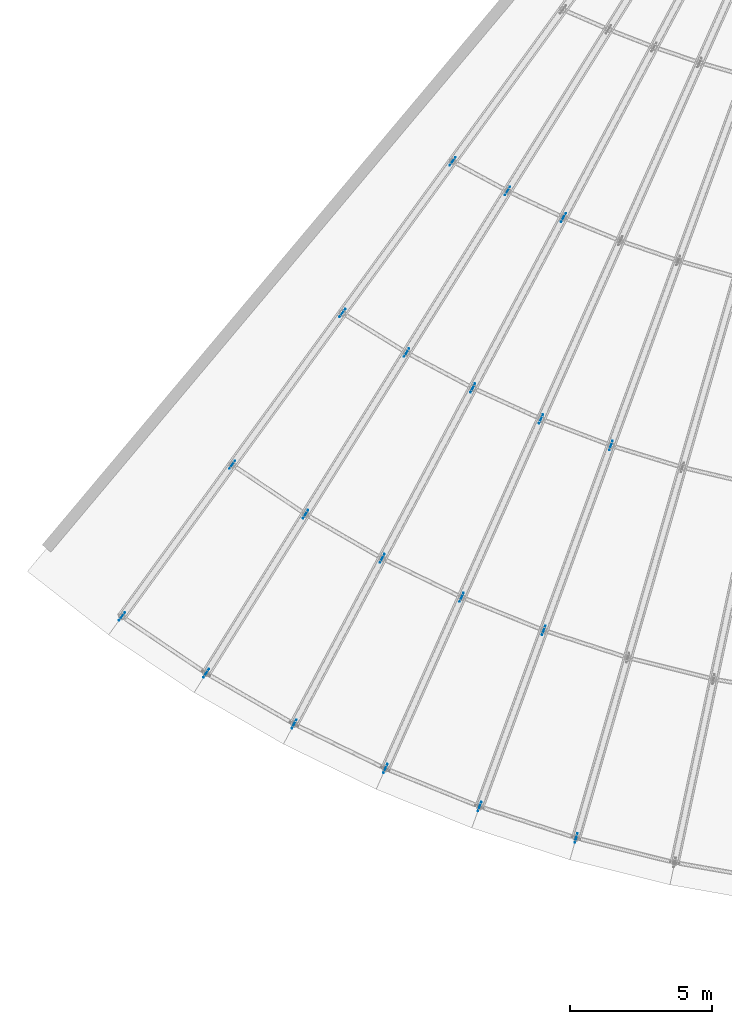
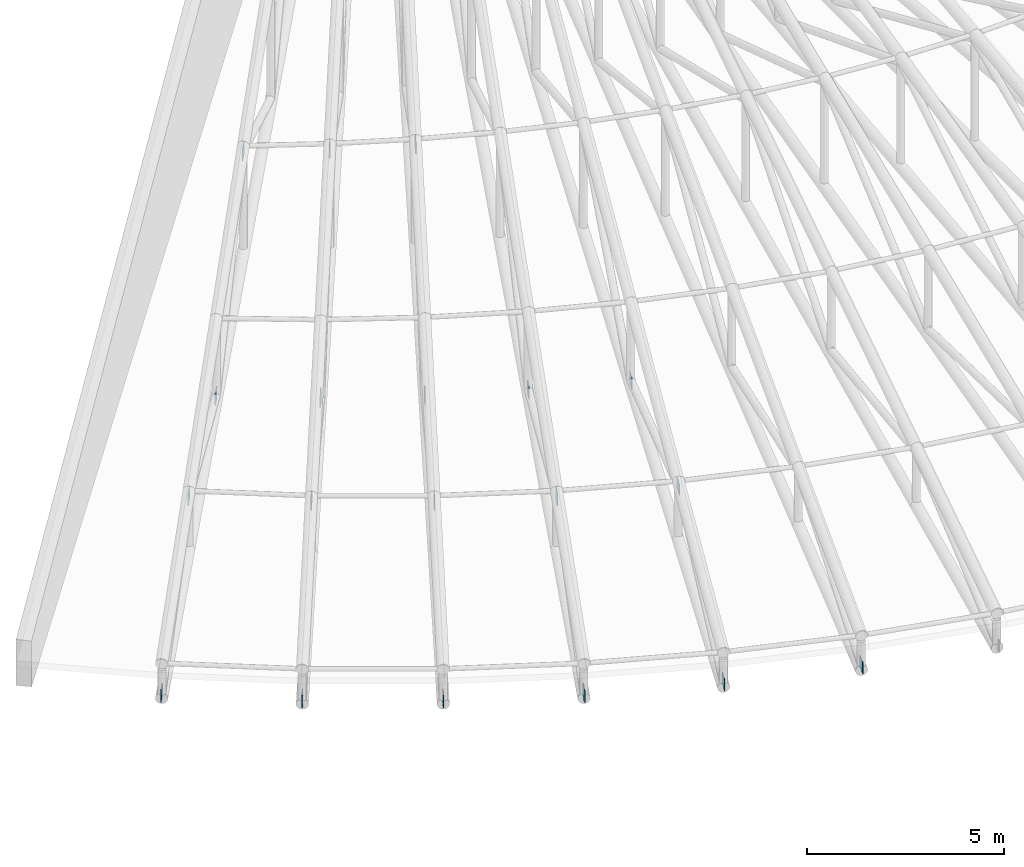
# One storey, part 128 of 163: 19 discrete accessories.
"""IFC4 building model written with IfcOpenShell, lengths in metres."""

from ifc_helpers import new_model, si_unit, direction, frame, origin, origin_2d, place, context, subcontext, project, spatial, rectangle, extrude, material, layer, layer_set, type_object, element, save


model = new_model("IFC4")

# Units and contexts
model_context = context("Model", 3, precision=1e-05, world=origin(), true_north=direction((0.0, 1.0)))
body_context = subcontext(model_context, "Body", "Model", "MODEL_VIEW")
ifc_project = project(units=[si_unit("LENGTHUNIT", "METRE"), si_unit("AREAUNIT", "SQUARE_METRE"), si_unit("VOLUMEUNIT", "CUBIC_METRE"), si_unit("PLANEANGLEUNIT", "RADIAN"), si_unit("MASSUNIT", "GRAM", prefix="KILO")], contexts=[model_context])

# Site, building, storey
site_placement = place(None, origin())
site = spatial("IfcSite", under=ifc_project, at=site_placement, CompositionType="ELEMENT")
building_placement = place(site_placement, origin())
building = spatial("IfcBuilding", under=site, at=building_placement, Name="Rain Tree Exposition and Congress Centre", CompositionType="ELEMENT")
storey_placement = place(building_placement, frame((0.0, 0.0, 10.5)))
storey = spatial("IfcBuildingStorey", under=building, at=storey_placement, Name="L02", CompositionType="ELEMENT", Elevation=10.5)

# Discrete accessories
ifc_material = material(Name="Steel plate S355J2", Category="steel")
ifc_layer = layer(ifc_material, 0.02001953125)
ifc_layer_set = layer_set([ifc_layer], Name="Steel plate S355J2")
discrete_accessory_type = type_object("IfcDiscreteAccessoryType", Name="Brace node plate 350x350x20", PredefinedType="BRACKET", material=ifc_layer_set)
for number, where, z_axis, x_axis, name in (
    (1, (171.50537109375, 25.7783203125, 0.1435546875), (0.0, 0.0, 1.0), (0.587785252292, 0.809016994375, 0.0), "Brace node plate 350"),
    (2, (175.384765625, 31.117919921875, 1.635498046875), (0.0, 0.0, 1.0), (0.587785252292, 0.809016994375, 0.0), "Brace node plate 350"),
    (3, (179.263427734375, 36.456298828125, 0.1435546875), (0.0, 0.0, 1.0), (-0.587785252292, -0.809016994375, 0.0), "Brace node plate 350"),
    (4, (183.14208984375, 41.794677734375, 3.1201171875), (0.0, 0.0, 1.0), (0.587785252292, 0.809016994375, 0.0), "Brace node plate 350"),
    (5, (174.468017578125, 23.77978515625, 0.1435546875), (0.0, 0.0, 1.0), (0.529919264233, 0.848048096156, 0.0), "Brace node plate 350"),
    (6, (177.965576171875, 29.377197265625, 1.635498046875), (0.0, 0.0, 1.0), (0.529919264233, 0.848048096156, 0.0), "Brace node plate 350"),
    (7, (181.51904296875, 35.063720703125, 0.1435546875), (0.0, 0.0, 1.0), (-0.529919264233, -0.848048096156, 0.0), "Brace node plate 350"),
    (8, (185.072509765625, 40.750244140625, 3.14404296875), (0.0, 0.0, 1.0), (0.529919264233, 0.848048096156, 0.0), "Brace node plate 350"),
    (9, (177.56298828125, 21.9931640625, 0.1435546875), (0.0, 0.0, 1.0), (0.469471562786, 0.882947592859, 0.0), "Brace node plate 350"),
    (10, (180.66162109375, 27.820556640625, 1.635498046875), (0.0, 0.0, 1.0), (0.469471562786, 0.882947592859, 0.0), "Brace node plate 350"),
    (11, (183.8505859375, 33.818359375, 0.1435546875), (0.0, 0.0, 1.0), (-0.469471562786, -0.882947592859, 0.0), "Brace node plate 350"),
    (12, (187.039794921875, 39.81640625, 3.163818359375), (0.0, 0.0, 1.0), (0.469471562786, 0.882947592859, 0.0), "Brace node plate 350"),
    (13, (180.775146484375, 20.426513671875, 0.1435546875), (0.0, 0.0, 1.0), (0.406736643076, 0.913545457643, 0.0), "Brace node plate 350"),
    (14, (183.45947265625, 26.455810546875, 1.635498046875), (0.0, 0.0, 1.0), (0.406736643076, 0.913545457643, 0.0), "Brace node plate 350"),
    (15, (186.25146484375, 32.726806640625, 0.1435546875), (0.0, 0.0, 1.0), (-0.406736643076, -0.913545457643, 0.0), "Brace node plate 350"),
    (16, (184.088623046875, 19.087646484375, 0.1435546875), (0.0, 0.0, 1.0), (0.342020143326, 0.939692620786, 0.0), "Brace node plate 350"),
    (17, (186.345947265625, 25.289794921875, 1.635498046875), (0.0, 0.0, 1.0), (0.342020143326, 0.939692620786, 0.0), "Brace node plate 350"),
    (18, (188.713134765625, 31.793701171875, 0.1435546875), (0.0, 0.0, 1.0), (-0.342020143326, -0.939692620786, 0.0), "Brace node plate 350"),
    (19, (187.4873046875, 17.9833984375, 0.1435546875), (0.0, 0.0, 1.0), (0.275637355817, 0.961261695938, 0.0), "Brace node plate 350"),
):
    element("IfcDiscreteAccessory", number, at=place(storey_placement, frame(where, z_axis=z_axis, x_axis=x_axis)), inside=storey, type_object=discrete_accessory_type, Name=name, PredefinedType="BRACKET", context=body_context, shape_type="SweptSolid", body=[
        extrude(rectangle(XDim=0.35009765625, YDim=0.02001953125, at=origin_2d()), origin(), (0.0, 0.0, 1.0), 0.35009765625),
    ])

save(model, "model.ifc")
